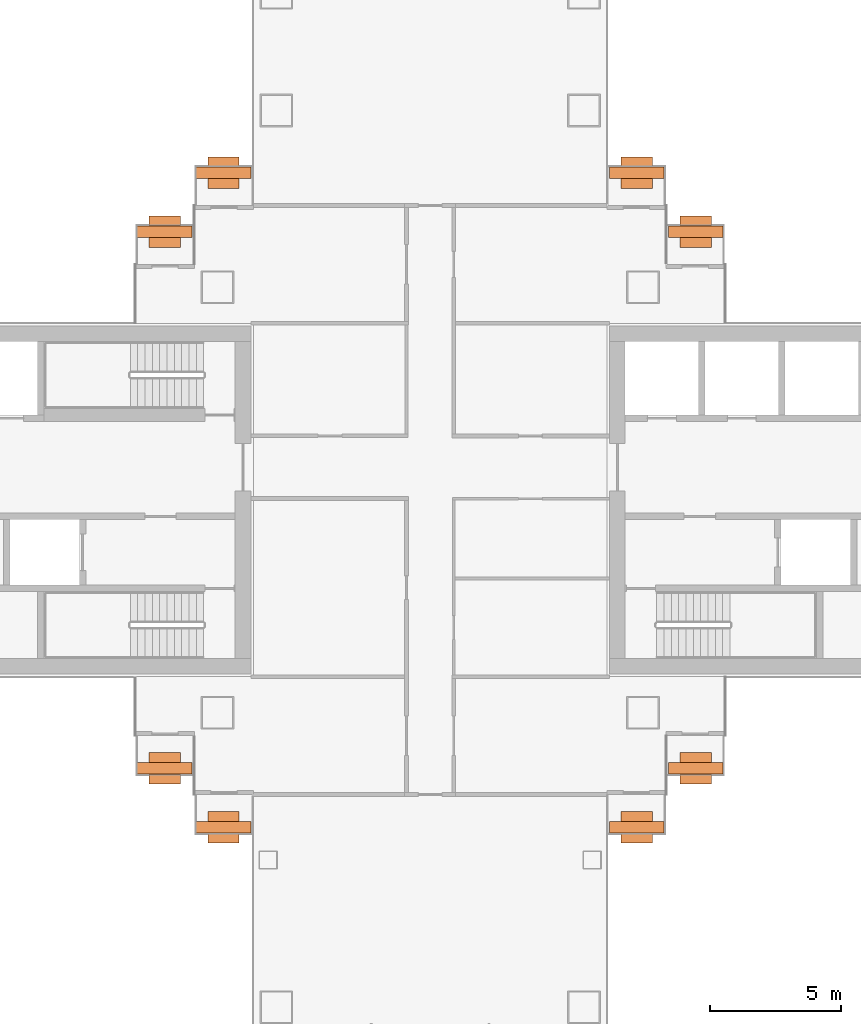
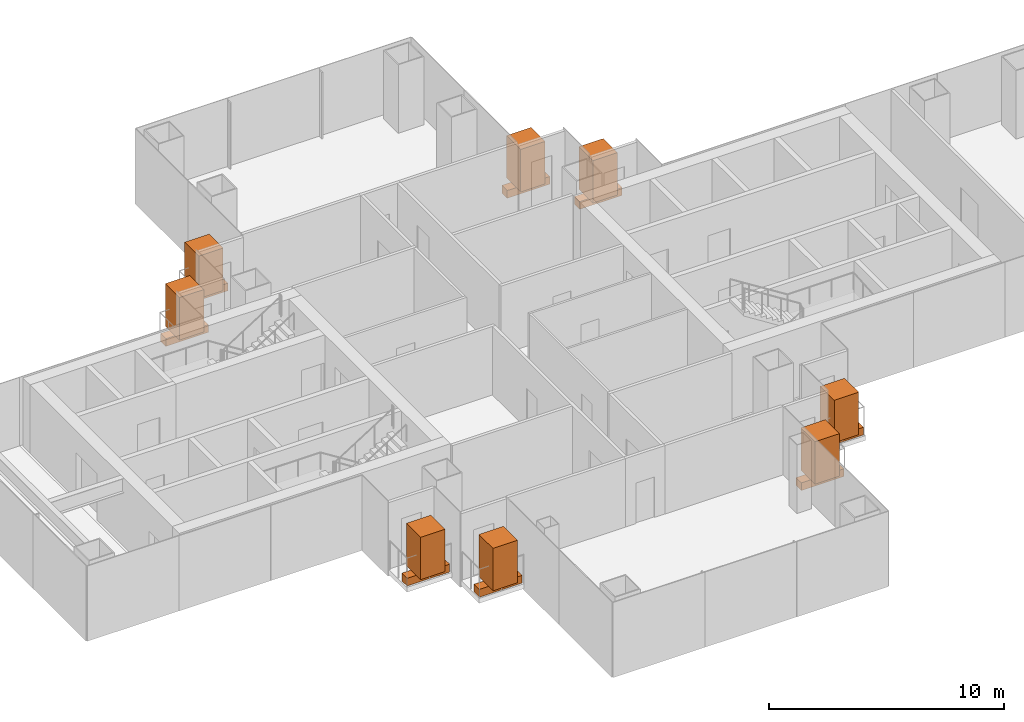
# One storey, part 20 of 20: 8 geographic elements, 8 proxies.
"""IFC4 building model written with IfcOpenShell, lengths in metres."""

from ifc_helpers import new_model, si_unit, direction, frame, origin, origin_2d, place, context, subcontext, project, spatial, rectangle, extrude, material, type_object, element, save


model = new_model("IFC4")

# Units and contexts
model_context = context("Model", 3, precision=1e-05, world=origin(), true_north=direction((0.0, 1.0)))
body_context = subcontext(model_context, "Body", "Model", "MODEL_VIEW")
ifc_project = project(units=[si_unit("LENGTHUNIT", "METRE"), si_unit("AREAUNIT", "SQUARE_METRE"), si_unit("VOLUMEUNIT", "CUBIC_METRE"), si_unit("PLANEANGLEUNIT", "RADIAN"), si_unit("MASSUNIT", "GRAM", prefix="KILO")], contexts=[model_context])

# Site, building, storey
site_placement = place(None, origin())
site = spatial("IfcSite", under=ifc_project, at=site_placement, CompositionType="ELEMENT")
building_placement = place(site_placement, origin())
building = spatial("IfcBuilding", under=site, at=building_placement, Name="Shamsa Quay Exchange Towers", CompositionType="ELEMENT")
storey_placement = place(building_placement, frame((0.0, 0.0, 101.39990234375)))
storey = spatial("IfcBuildingStorey", under=building, at=storey_placement, Name="L23", CompositionType="ELEMENT", Elevation=101.39990234375)

# Proxies
ifc_material_1 = material(Name="Reinforced concrete C30/37, black glass-fibre faced", Category="concrete")
building_element_proxy_type = type_object("IfcBuildingElementProxyType", Name="BALCONY PLANTER", PredefinedType="USERDEFINED", material=ifc_material_1)
for number, where, z_axis, x_axis, name in (
    (1, (-23.60595703125, 10.2451171875, 0.000244140625), (0.0, 0.0, 1.0), (-1.0, 0.0, 0.0), "PLANTER T1-PKEN L23"),
    (2, (-25.85595703125, 12.4951171875, 0.000244140625), (0.0, 0.0, 1.0), (-1.0, 0.0, 0.0), "PLANTER T1-PKEN L23"),
):
    element("IfcBuildingElementProxy", number, at=place(storey_placement, frame(where, z_axis=z_axis, x_axis=x_axis)), inside=storey, type_object=building_element_proxy_type, Name=name, ObjectType="PLANTER", PredefinedType="USERDEFINED", context=body_context, shape_type="SweptSolid", body=[
        extrude(rectangle(XDim=2.092041015625, YDim=0.449951171875, at=origin_2d()), origin(), (0.0, 0.0, 1.0), 0.39990234375),
    ])
for number, where, name in (
    (3, (-23.60595703125, -10.2451171875, 0.000244140625), "PLANTER T1-PKES L23"),
    (4, (-25.85595703125, -12.4951171875, 0.000244140625), "PLANTER T1-PKES L23"),
):
    element("IfcBuildingElementProxy", number, at=place(storey_placement, frame(where)), inside=storey, type_object=building_element_proxy_type, Name=name, ObjectType="PLANTER", PredefinedType="USERDEFINED", context=body_context, shape_type="SweptSolid", body=[
        extrude(rectangle(XDim=2.092041015625, YDim=0.449951171875, at=origin_2d()), origin(), (0.0, 0.0, 1.0), 0.39990234375),
    ])
for number, where, z_axis, x_axis, name in (
    (5, (-41.64404296875, 12.4951171875, 0.000244140625), (0.0, 0.0, 1.0), (-1.0, 0.0, 0.0), "PLANTER T1-PKWN L23"),
    (6, (-43.89404296875, 10.2451171875, 0.000244140625), (0.0, 0.0, 1.0), (-1.0, 0.0, 0.0), "PLANTER T1-PKWN L23"),
):
    element("IfcBuildingElementProxy", number, at=place(storey_placement, frame(where, z_axis=z_axis, x_axis=x_axis)), inside=storey, type_object=building_element_proxy_type, Name=name, ObjectType="PLANTER", PredefinedType="USERDEFINED", context=body_context, shape_type="SweptSolid", body=[
        extrude(rectangle(XDim=2.092041015625, YDim=0.449951171875, at=origin_2d()), origin(), (0.0, 0.0, 1.0), 0.39990234375),
    ])
for number, where, name in (
    (7, (-43.89404296875, -10.2451171875, 0.000244140625), "PLANTER T1-PKWS L23"),
    (8, (-41.64404296875, -12.4951171875, 0.000244140625), "PLANTER T1-PKWS L23"),
):
    element("IfcBuildingElementProxy", number, at=place(storey_placement, frame(where)), inside=storey, type_object=building_element_proxy_type, Name=name, ObjectType="PLANTER", PredefinedType="USERDEFINED", context=body_context, shape_type="SweptSolid", body=[
        extrude(rectangle(XDim=2.092041015625, YDim=0.449951171875, at=origin_2d()), origin(), (0.0, 0.0, 1.0), 0.39990234375),
    ])

# Geographic elements
ifc_material_2 = material(Name="Planting")
geographic_element_type = type_object("IfcGeographicElementType", Name="BALCONY TREE", PredefinedType="USERDEFINED", material=ifc_material_2)
for number, where, z_axis, x_axis, name in (
    (9, (-23.60595703125, 10.2451171875, 0.39990234375), (0.0, 0.0, 1.0), (-1.0, 0.0, 0.0), "TREE T1-PKEN L23"),
    (10, (-25.85595703125, 12.4951171875, 0.39990234375), (0.0, 0.0, 1.0), (-1.0, 0.0, 0.0), "TREE T1-PKEN L23"),
):
    element("IfcGeographicElement", number, at=place(storey_placement, frame(where, z_axis=z_axis, x_axis=x_axis)), inside=storey, type_object=geographic_element_type, Name=name, ObjectType="TREE", PredefinedType="USERDEFINED", context=body_context, shape_type="SweptSolid", body=[
        extrude(rectangle(XDim=1.199951171875, YDim=1.199951171875, at=origin_2d()), origin(), (0.0, 0.0, 1.0), 2.199951171875),
    ])
for number, where, name in (
    (11, (-23.60595703125, -10.2451171875, 0.39990234375), "TREE T1-PKES L23"),
    (12, (-25.85595703125, -12.4951171875, 0.39990234375), "TREE T1-PKES L23"),
):
    element("IfcGeographicElement", number, at=place(storey_placement, frame(where)), inside=storey, type_object=geographic_element_type, Name=name, ObjectType="TREE", PredefinedType="USERDEFINED", context=body_context, shape_type="SweptSolid", body=[
        extrude(rectangle(XDim=1.199951171875, YDim=1.199951171875, at=origin_2d()), origin(), (0.0, 0.0, 1.0), 2.199951171875),
    ])
for number, where, z_axis, x_axis, name in (
    (13, (-41.64404296875, 12.4951171875, 0.39990234375), (0.0, 0.0, 1.0), (-1.0, 0.0, 0.0), "TREE T1-PKWN L23"),
    (14, (-43.89404296875, 10.2451171875, 0.39990234375), (0.0, 0.0, 1.0), (-1.0, 0.0, 0.0), "TREE T1-PKWN L23"),
):
    element("IfcGeographicElement", number, at=place(storey_placement, frame(where, z_axis=z_axis, x_axis=x_axis)), inside=storey, type_object=geographic_element_type, Name=name, ObjectType="TREE", PredefinedType="USERDEFINED", context=body_context, shape_type="SweptSolid", body=[
        extrude(rectangle(XDim=1.199951171875, YDim=1.199951171875, at=origin_2d()), origin(), (0.0, 0.0, 1.0), 2.199951171875),
    ])
for number, where, name in (
    (15, (-43.89404296875, -10.2451171875, 0.39990234375), "TREE T1-PKWS L23"),
    (16, (-41.64404296875, -12.4951171875, 0.39990234375), "TREE T1-PKWS L23"),
):
    element("IfcGeographicElement", number, at=place(storey_placement, frame(where)), inside=storey, type_object=geographic_element_type, Name=name, ObjectType="TREE", PredefinedType="USERDEFINED", context=body_context, shape_type="SweptSolid", body=[
        extrude(rectangle(XDim=1.199951171875, YDim=1.199951171875, at=origin_2d()), origin(), (0.0, 0.0, 1.0), 2.199951171875),
    ])

save(model, "model.ifc")
